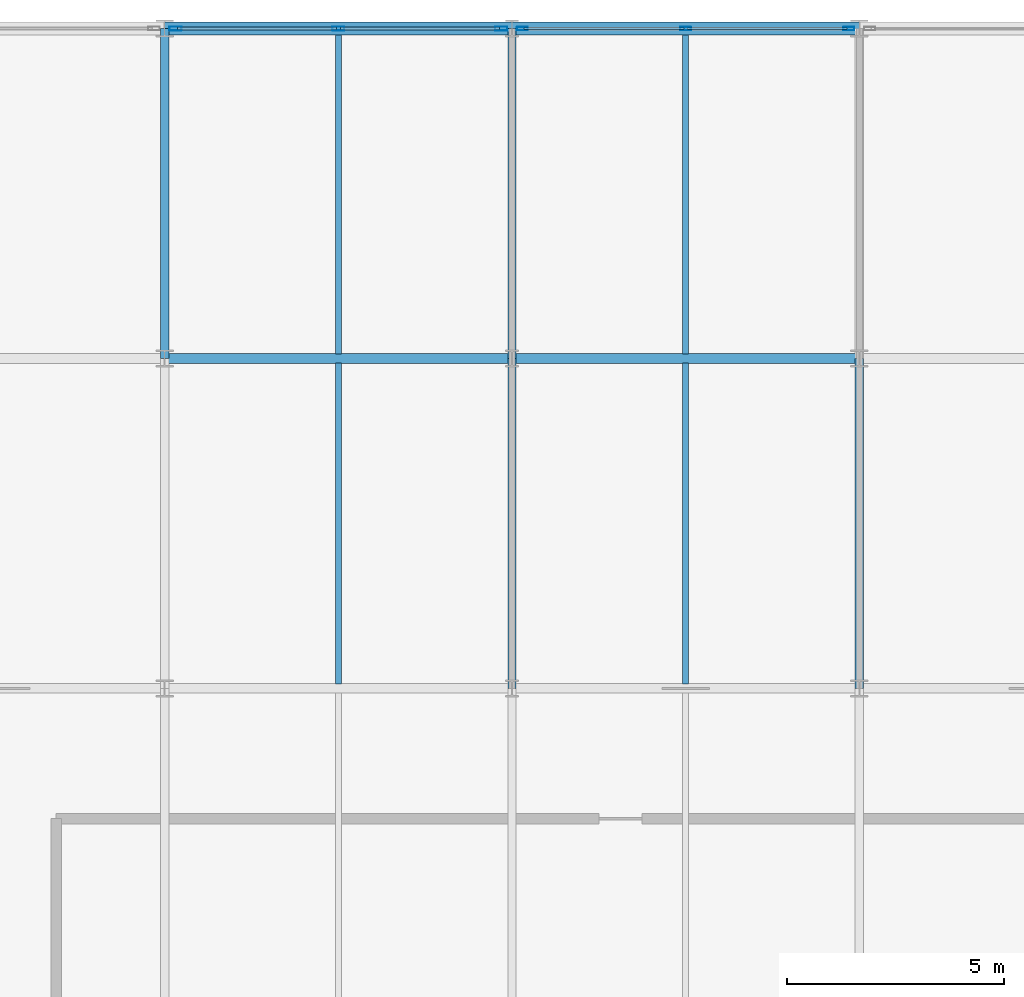
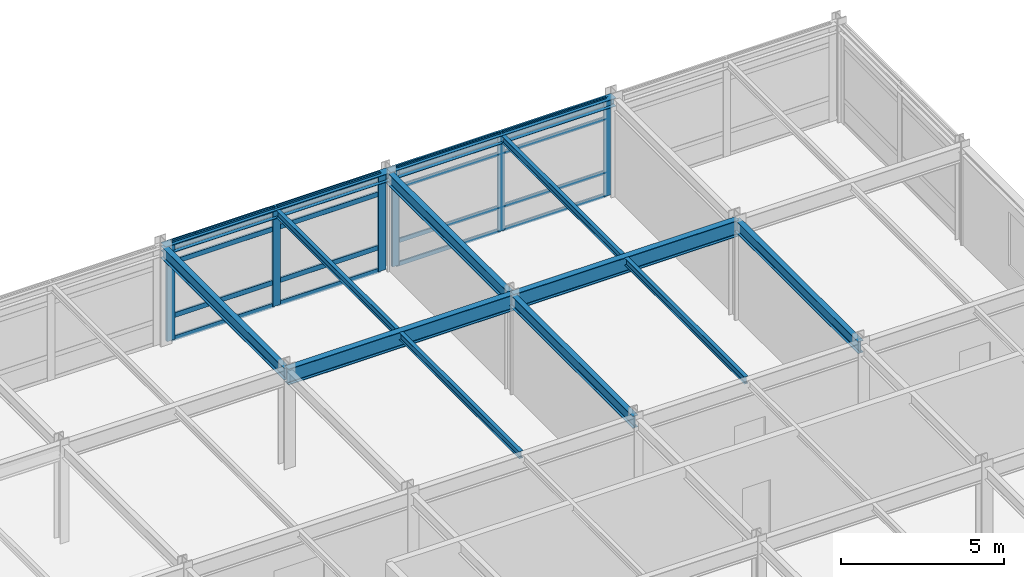
# One storey, part 8 of 14: 22 members, 12 beams, 2 elements without a shape of their own.
"""IFC4 building model written with IfcOpenShell, lengths in metres."""

from ifc_helpers import new_model, si_unit, direction, frame, origin, origin_2d, place, context, subcontext, project, spatial, hollow_rectangle, i_section, extrude, material, layer, layer_set, material_profile, profile_set, type_object, element, aggregate, save


model = new_model("IFC4")

# Units and contexts
model_context = context("Model", 3, precision=1e-05, world=origin(), true_north=direction((0.0, 1.0)))
body_context = subcontext(model_context, "Body", "Model", "MODEL_VIEW")
ifc_project = project(units=[si_unit("LENGTHUNIT", "METRE"), si_unit("AREAUNIT", "SQUARE_METRE"), si_unit("VOLUMEUNIT", "CUBIC_METRE"), si_unit("PLANEANGLEUNIT", "RADIAN"), si_unit("MASSUNIT", "GRAM", prefix="KILO")], contexts=[model_context])

# Site, building, storey
site_placement = place(None, origin())
site = spatial("IfcSite", under=ifc_project, at=site_placement, CompositionType="ELEMENT")
building_placement = place(site_placement, origin())
building = spatial("IfcBuilding", under=site, at=building_placement, Name="Shalkamar Park Central Library", CompositionType="ELEMENT")
storey_placement = place(building_placement, frame((0.0, 0.0, 28.199951171875)))
storey = spatial("IfcBuildingStorey", under=building, at=storey_placement, Name="L07", CompositionType="ELEMENT", Elevation=28.199951171875)

# Beams
ifc_material_1 = material(Name="Steel S355", Category="steel")
ifc_material_profile_1 = material_profile(ifc_material_1, i_section(OverallWidth=0.135009765625, OverallDepth=0.27001953125, WebThickness=0.006591796875, FlangeThickness=0.01025390625, FilletRadius=0.014892578125, at=origin_2d()), Name="IPE 270")
ifc_profile_set_1 = profile_set([ifc_material_profile_1], Name="Steel S355")
beam_type_1 = type_object("IfcBeamType", Name="Composite Floor Joist IPE270", PredefinedType="JOIST", material=ifc_profile_set_1)
beam_1_placement = place(storey_placement, frame((201.0, 278.10791015625, 3.525146484375), z_axis=(0.0, 1.0, 0.0), x_axis=(-1.0, 0.0, 0.0)))
element("IfcBeam", 1, at=beam_1_placement, inside=storey, type_object=beam_type_1, Name="Composite Joist 11/F-1 (L07)", PredefinedType="JOIST", context=body_context, shape_type="SweptSolid", body=[
    extrude(i_section(OverallWidth=0.135009765625, OverallDepth=0.27001953125, WebThickness=0.006591796875, FlangeThickness=0.01025390625, FilletRadius=0.014892578125, at=origin_2d()), origin(), (0.0, 0.0, 1.0), 7.384033203125),
])
beam_2_placement = place(storey_placement, frame((201.0, 285.7080078125, 3.525146484375), z_axis=(0.0, 1.0, 0.0), x_axis=(-1.0, 0.0, 0.0)))
element("IfcBeam", 2, at=beam_2_placement, inside=storey, type_object=beam_type_1, Name="Composite Joist 11/G-1 (L07)", PredefinedType="JOIST", context=body_context, shape_type="SweptSolid", body=[
    extrude(i_section(OverallWidth=0.135009765625, OverallDepth=0.27001953125, WebThickness=0.006591796875, FlangeThickness=0.01025390625, FilletRadius=0.014892578125, at=origin_2d()), origin(), (0.0, 0.0, 1.0), 7.343994140625),
])
beam_3_placement = place(storey_placement, frame((209.0, 278.10791015625, 3.525146484375), z_axis=(0.0, 1.0, 0.0), x_axis=(-1.0, 0.0, 0.0)))
element("IfcBeam", 3, at=beam_3_placement, inside=storey, type_object=beam_type_1, Name="Composite Joist 12/F-1 (L07)", PredefinedType="JOIST", context=body_context, shape_type="SweptSolid", body=[
    extrude(i_section(OverallWidth=0.135009765625, OverallDepth=0.27001953125, WebThickness=0.006591796875, FlangeThickness=0.01025390625, FilletRadius=0.014892578125, at=origin_2d()), origin(), (0.0, 0.0, 1.0), 7.384033203125),
])
beam_4_placement = place(storey_placement, frame((209.0, 285.7080078125, 3.525146484375), z_axis=(0.0, 1.0, 0.0), x_axis=(-1.0, 0.0, 0.0)))
element("IfcBeam", 4, at=beam_4_placement, inside=storey, type_object=beam_type_1, Name="Composite Joist 12/G-1 (L07)", PredefinedType="JOIST", context=body_context, shape_type="SweptSolid", body=[
    extrude(i_section(OverallWidth=0.135009765625, OverallDepth=0.27001953125, WebThickness=0.006591796875, FlangeThickness=0.01025390625, FilletRadius=0.014892578125, at=origin_2d()), origin(), (0.0, 0.0, 1.0), 7.343994140625),
])

# Curtain wall, members
ifc_material_2 = material(Name="Thermally broken aluminium and triple low-e curtain wall", Category="aluminium")
ifc_layer_1 = layer(ifc_material_2, 0.25)
ifc_layer_set_1 = layer_set([ifc_layer_1], Name="UnitisedCurtainWall_68")
curtain_wall_type_1 = type_object("IfcCurtainWallType", Name="Unitised Curtain Wall 68", PredefinedType="USERDEFINED", material=ifc_layer_set_1)
curtain_wall_1_placement = place(storey_placement, origin())
curtain_wall_1 = element("IfcCurtainWall", 5, at=curtain_wall_1_placement, inside=storey, type_object=curtain_wall_type_1, Name="Unitised Curtain Wall CW-L07-101", ObjectType="UNITISED CURTAIN WALL", PredefinedType="USERDEFINED")
ifc_material_3 = material(Name="Aluminium 6060-T66", Category="aluminium")
ifc_material_profile_2 = material_profile(ifc_material_3, hollow_rectangle(XDim=0.074951171875, YDim=0.25, WallThickness=0.00390625, InnerFilletRadius=0.00390625, OuterFilletRadius=0.006103515625, at=origin_2d()), Name="ALU 75x250x4")
ifc_profile_set_2 = profile_set([ifc_material_profile_2], Name="Aluminium 6060-T66")
member_type_1 = type_object("IfcMemberType", Name="Curtain Wall Mullion ALU75x250", PredefinedType="MULLION", material=ifc_profile_set_2)
member_1_placement = place(storey_placement, frame((205.239013671875, 293.199951171875, 0.0), z_axis=(0.0, 0.0, 1.0), x_axis=(0.0, 1.0, 0.0)))
member_1 = element("IfcMember", 6, at=member_1_placement, type_object=member_type_1, Name="CW-68 mullion 1", PredefinedType="MULLION", context=body_context, shape_type="SweptSolid", body=[
    extrude(hollow_rectangle(XDim=0.074951171875, YDim=0.25, WallThickness=0.00390625, InnerFilletRadius=0.00390625, OuterFilletRadius=0.006103515625, at=origin_2d()), origin(), (0.0, 0.0, 1.0), 3.66015625),
])
member_2_placement = place(storey_placement, frame((208.999267578125, 293.199951171875, 0.0), z_axis=(0.0, 0.0, 1.0), x_axis=(0.0, 1.0, 0.0)))
member_2 = element("IfcMember", 7, at=member_2_placement, type_object=member_type_1, Name="CW-68 mullion 2", PredefinedType="MULLION", context=body_context, shape_type="SweptSolid", body=[
    extrude(hollow_rectangle(XDim=0.074951171875, YDim=0.25, WallThickness=0.00390625, InnerFilletRadius=0.00390625, OuterFilletRadius=0.006103515625, at=origin_2d()), origin(), (0.0, 0.0, 1.0), 3.66015625),
])
member_3_placement = place(storey_placement, frame((212.759521484375, 293.199951171875, 0.0), z_axis=(0.0, 0.0, 1.0), x_axis=(0.0, 1.0, 0.0)))
member_3 = element("IfcMember", 8, at=member_3_placement, type_object=member_type_1, Name="CW-68 mullion 3", PredefinedType="MULLION", context=body_context, shape_type="SweptSolid", body=[
    extrude(hollow_rectangle(XDim=0.074951171875, YDim=0.25, WallThickness=0.00390625, InnerFilletRadius=0.00390625, OuterFilletRadius=0.006103515625, at=origin_2d()), origin(), (0.0, 0.0, 1.0), 3.66015625),
])

ifc_layer_2 = layer(ifc_material_2, 0.280029296875)
ifc_layer_set_2 = layer_set([ifc_layer_2], Name="UnitisedCurtainWall_67")
curtain_wall_type_2 = type_object("IfcCurtainWallType", Name="Unitised Curtain Wall 67", PredefinedType="USERDEFINED", material=ifc_layer_set_2)
curtain_wall_2_placement = place(storey_placement, origin())
curtain_wall_2 = element("IfcCurtainWall", 9, at=curtain_wall_2_placement, inside=storey, type_object=curtain_wall_type_2, Name="Unitised Curtain Wall CW-L07-100", ObjectType="UNITISED CURTAIN WALL", PredefinedType="USERDEFINED")
ifc_material_profile_3 = material_profile(ifc_material_3, hollow_rectangle(XDim=0.090087890625, YDim=0.280029296875, WallThickness=0.0048828125, InnerFilletRadius=0.0048828125, OuterFilletRadius=0.007568359375, at=origin_2d()), Name="ALU 90x280x5")
ifc_profile_set_3 = profile_set([ifc_material_profile_3], Name="Aluminium 6060-T66")
member_type_2 = type_object("IfcMemberType", Name="Curtain Wall Mullion ALU90x280", PredefinedType="MULLION", material=ifc_profile_set_3)
member_4_placement = place(storey_placement, frame((197.248046875, 293.199951171875, 0.0), z_axis=(0.0, 0.0, 1.0), x_axis=(0.0, 1.0, 0.0)))
member_4 = element("IfcMember", 10, at=member_4_placement, type_object=member_type_2, Name="CW-67 mullion 1", PredefinedType="MULLION", context=body_context, shape_type="SweptSolid", body=[
    extrude(hollow_rectangle(XDim=0.090087890625, YDim=0.280029296875, WallThickness=0.0048828125, InnerFilletRadius=0.0048828125, OuterFilletRadius=0.007568359375, at=origin_2d()), origin(), (0.0, 0.0, 1.0), 3.66015625),
])
member_5_placement = place(storey_placement, frame((201.000732421875, 293.199951171875, 0.0), z_axis=(0.0, 0.0, 1.0), x_axis=(0.0, 1.0, 0.0)))
member_5 = element("IfcMember", 11, at=member_5_placement, type_object=member_type_2, Name="CW-67 mullion 2", PredefinedType="MULLION", context=body_context, shape_type="SweptSolid", body=[
    extrude(hollow_rectangle(XDim=0.090087890625, YDim=0.280029296875, WallThickness=0.0048828125, InnerFilletRadius=0.0048828125, OuterFilletRadius=0.007568359375, at=origin_2d()), origin(), (0.0, 0.0, 1.0), 3.66015625),
])
member_6_placement = place(storey_placement, frame((204.75341796875, 293.199951171875, 0.0), z_axis=(0.0, 0.0, 1.0), x_axis=(0.0, 1.0, 0.0)))
member_6 = element("IfcMember", 12, at=member_6_placement, type_object=member_type_2, Name="CW-67 mullion 3", PredefinedType="MULLION", context=body_context, shape_type="SweptSolid", body=[
    extrude(hollow_rectangle(XDim=0.090087890625, YDim=0.280029296875, WallThickness=0.0048828125, InnerFilletRadius=0.0048828125, OuterFilletRadius=0.007568359375, at=origin_2d()), origin(), (0.0, 0.0, 1.0), 3.66015625),
])

# Member
ifc_material_profile_4 = material_profile(ifc_material_3, hollow_rectangle(XDim=0.06005859375, YDim=0.159912109375, WallThickness=0.00390625, InnerFilletRadius=0.00390625, OuterFilletRadius=0.006103515625, at=origin_2d()), Name="ALU 60x160x4")
ifc_profile_set_4 = profile_set([ifc_material_profile_4], Name="Aluminium 6060-T66")
member_type_3 = type_object("IfcMemberType", Name="Curtain Wall Transom ALU60x160", PredefinedType="USERDEFINED", material=ifc_profile_set_4)
member_7_placement = place(storey_placement, frame((205.276611328125, 293.199951171875, 0.030029296875), z_axis=(1.0, 0.0, 0.0), x_axis=(0.0, 1.0, 0.0)))
member_7 = element("IfcMember", 13, at=member_7_placement, type_object=member_type_3, Name="CW-68 transom 1.1", ObjectType="TRANSOM", PredefinedType="USERDEFINED", context=body_context, shape_type="SweptSolid", body=[
    extrude(hollow_rectangle(XDim=0.06005859375, YDim=0.159912109375, WallThickness=0.00390625, InnerFilletRadius=0.00390625, OuterFilletRadius=0.006103515625, at=origin_2d()), origin(), (0.0, 0.0, 1.0), 3.68505859375),
])

member_8_placement = place(storey_placement, frame((205.276611328125, 293.199951171875, 0.900146484375), z_axis=(1.0, 0.0, 0.0), x_axis=(0.0, 1.0, 0.0)))
member_8 = element("IfcMember", 14, at=member_8_placement, type_object=member_type_3, Name="CW-68 transom 1.2", ObjectType="TRANSOM", PredefinedType="USERDEFINED", context=body_context, shape_type="SweptSolid", body=[
    extrude(hollow_rectangle(XDim=0.06005859375, YDim=0.159912109375, WallThickness=0.00390625, InnerFilletRadius=0.00390625, OuterFilletRadius=0.006103515625, at=origin_2d()), origin(), (0.0, 0.0, 1.0), 3.68505859375),
])

member_9_placement = place(storey_placement, frame((205.276611328125, 293.199951171875, 2.91015625), z_axis=(1.0, 0.0, 0.0), x_axis=(0.0, 1.0, 0.0)))
member_9 = element("IfcMember", 15, at=member_9_placement, type_object=member_type_3, Name="CW-68 transom 1.3", ObjectType="TRANSOM", PredefinedType="USERDEFINED", context=body_context, shape_type="SweptSolid", body=[
    extrude(hollow_rectangle(XDim=0.06005859375, YDim=0.159912109375, WallThickness=0.00390625, InnerFilletRadius=0.00390625, OuterFilletRadius=0.006103515625, at=origin_2d()), origin(), (0.0, 0.0, 1.0), 3.68505859375),
])

member_10_placement = place(storey_placement, frame((205.276611328125, 293.199951171875, 3.630126953125), z_axis=(1.0, 0.0, 0.0), x_axis=(0.0, 1.0, 0.0)))
member_10 = element("IfcMember", 16, at=member_10_placement, type_object=member_type_3, Name="CW-68 transom 1.4", ObjectType="TRANSOM", PredefinedType="USERDEFINED", context=body_context, shape_type="SweptSolid", body=[
    extrude(hollow_rectangle(XDim=0.06005859375, YDim=0.159912109375, WallThickness=0.00390625, InnerFilletRadius=0.00390625, OuterFilletRadius=0.006103515625, at=origin_2d()), origin(), (0.0, 0.0, 1.0), 3.68505859375),
])

member_11_placement = place(storey_placement, frame((209.036865234375, 293.199951171875, 0.030029296875), z_axis=(1.0, 0.0, 0.0), x_axis=(0.0, 1.0, 0.0)))
member_11 = element("IfcMember", 17, at=member_11_placement, type_object=member_type_3, Name="CW-68 transom 2.1", ObjectType="TRANSOM", PredefinedType="USERDEFINED", context=body_context, shape_type="SweptSolid", body=[
    extrude(hollow_rectangle(XDim=0.06005859375, YDim=0.159912109375, WallThickness=0.00390625, InnerFilletRadius=0.00390625, OuterFilletRadius=0.006103515625, at=origin_2d()), origin(), (0.0, 0.0, 1.0), 3.68505859375),
])

member_12_placement = place(storey_placement, frame((209.036865234375, 293.199951171875, 0.900146484375), z_axis=(1.0, 0.0, 0.0), x_axis=(0.0, 1.0, 0.0)))
member_12 = element("IfcMember", 18, at=member_12_placement, type_object=member_type_3, Name="CW-68 transom 2.2", ObjectType="TRANSOM", PredefinedType="USERDEFINED", context=body_context, shape_type="SweptSolid", body=[
    extrude(hollow_rectangle(XDim=0.06005859375, YDim=0.159912109375, WallThickness=0.00390625, InnerFilletRadius=0.00390625, OuterFilletRadius=0.006103515625, at=origin_2d()), origin(), (0.0, 0.0, 1.0), 3.68505859375),
])

member_13_placement = place(storey_placement, frame((209.036865234375, 293.199951171875, 2.91015625), z_axis=(1.0, 0.0, 0.0), x_axis=(0.0, 1.0, 0.0)))
member_13 = element("IfcMember", 19, at=member_13_placement, type_object=member_type_3, Name="CW-68 transom 2.3", ObjectType="TRANSOM", PredefinedType="USERDEFINED", context=body_context, shape_type="SweptSolid", body=[
    extrude(hollow_rectangle(XDim=0.06005859375, YDim=0.159912109375, WallThickness=0.00390625, InnerFilletRadius=0.00390625, OuterFilletRadius=0.006103515625, at=origin_2d()), origin(), (0.0, 0.0, 1.0), 3.68505859375),
])

member_14_placement = place(storey_placement, frame((209.036865234375, 293.199951171875, 3.630126953125), z_axis=(1.0, 0.0, 0.0), x_axis=(0.0, 1.0, 0.0)))
member_14 = element("IfcMember", 20, at=member_14_placement, type_object=member_type_3, Name="CW-68 transom 2.4", ObjectType="TRANSOM", PredefinedType="USERDEFINED", context=body_context, shape_type="SweptSolid", body=[
    extrude(hollow_rectangle(XDim=0.06005859375, YDim=0.159912109375, WallThickness=0.00390625, InnerFilletRadius=0.00390625, OuterFilletRadius=0.006103515625, at=origin_2d()), origin(), (0.0, 0.0, 1.0), 3.68505859375),
])

aggregate(curtain_wall_1, [member_1, member_2, member_3, member_7, member_8, member_9, member_10, member_11, member_12, member_13, member_14])

ifc_material_profile_5 = material_profile(ifc_material_3, hollow_rectangle(XDim=0.070068359375, YDim=0.18994140625, WallThickness=0.0048828125, InnerFilletRadius=0.0048828125, OuterFilletRadius=0.007568359375, at=origin_2d()), Name="ALU 70x190x5")
ifc_profile_set_5 = profile_set([ifc_material_profile_5], Name="Aluminium 6060-T66")
member_type_4 = type_object("IfcMemberType", Name="Curtain Wall Transom ALU70x190", PredefinedType="USERDEFINED", material=ifc_profile_set_5)
member_15_placement = place(storey_placement, frame((197.29296875, 293.199951171875, 0.03515625), z_axis=(1.0, 0.0, 0.0), x_axis=(0.0, 1.0, 0.0)))
member_15 = element("IfcMember", 21, at=member_15_placement, type_object=member_type_4, Name="CW-67 transom 1.1", ObjectType="TRANSOM", PredefinedType="USERDEFINED", context=body_context, shape_type="SweptSolid", body=[
    extrude(hollow_rectangle(XDim=0.070068359375, YDim=0.18994140625, WallThickness=0.0048828125, InnerFilletRadius=0.0048828125, OuterFilletRadius=0.007568359375, at=origin_2d()), origin(), (0.0, 0.0, 1.0), 3.662841796875),
])

member_16_placement = place(storey_placement, frame((197.29296875, 293.199951171875, 0.900146484375), z_axis=(1.0, 0.0, 0.0), x_axis=(0.0, 1.0, 0.0)))
member_16 = element("IfcMember", 22, at=member_16_placement, type_object=member_type_4, Name="CW-67 transom 1.2", ObjectType="TRANSOM", PredefinedType="USERDEFINED", context=body_context, shape_type="SweptSolid", body=[
    extrude(hollow_rectangle(XDim=0.070068359375, YDim=0.18994140625, WallThickness=0.0048828125, InnerFilletRadius=0.0048828125, OuterFilletRadius=0.007568359375, at=origin_2d()), origin(), (0.0, 0.0, 1.0), 3.662841796875),
])

member_17_placement = place(storey_placement, frame((197.29296875, 293.199951171875, 2.91015625), z_axis=(1.0, 0.0, 0.0), x_axis=(0.0, 1.0, 0.0)))
member_17 = element("IfcMember", 23, at=member_17_placement, type_object=member_type_4, Name="CW-67 transom 1.3", ObjectType="TRANSOM", PredefinedType="USERDEFINED", context=body_context, shape_type="SweptSolid", body=[
    extrude(hollow_rectangle(XDim=0.070068359375, YDim=0.18994140625, WallThickness=0.0048828125, InnerFilletRadius=0.0048828125, OuterFilletRadius=0.007568359375, at=origin_2d()), origin(), (0.0, 0.0, 1.0), 3.662841796875),
])

member_18_placement = place(storey_placement, frame((197.29296875, 293.199951171875, 3.625), z_axis=(1.0, 0.0, 0.0), x_axis=(0.0, 1.0, 0.0)))
member_18 = element("IfcMember", 24, at=member_18_placement, type_object=member_type_4, Name="CW-67 transom 1.4", ObjectType="TRANSOM", PredefinedType="USERDEFINED", context=body_context, shape_type="SweptSolid", body=[
    extrude(hollow_rectangle(XDim=0.070068359375, YDim=0.18994140625, WallThickness=0.0048828125, InnerFilletRadius=0.0048828125, OuterFilletRadius=0.007568359375, at=origin_2d()), origin(), (0.0, 0.0, 1.0), 3.662841796875),
])

member_19_placement = place(storey_placement, frame((201.045654296875, 293.199951171875, 0.03515625), z_axis=(1.0, 0.0, 0.0), x_axis=(0.0, 1.0, 0.0)))
member_19 = element("IfcMember", 25, at=member_19_placement, type_object=member_type_4, Name="CW-67 transom 2.1", ObjectType="TRANSOM", PredefinedType="USERDEFINED", context=body_context, shape_type="SweptSolid", body=[
    extrude(hollow_rectangle(XDim=0.070068359375, YDim=0.18994140625, WallThickness=0.0048828125, InnerFilletRadius=0.0048828125, OuterFilletRadius=0.007568359375, at=origin_2d()), origin(), (0.0, 0.0, 1.0), 3.662841796875),
])

member_20_placement = place(storey_placement, frame((201.045654296875, 293.199951171875, 0.900146484375), z_axis=(1.0, 0.0, 0.0), x_axis=(0.0, 1.0, 0.0)))
member_20 = element("IfcMember", 26, at=member_20_placement, type_object=member_type_4, Name="CW-67 transom 2.2", ObjectType="TRANSOM", PredefinedType="USERDEFINED", context=body_context, shape_type="SweptSolid", body=[
    extrude(hollow_rectangle(XDim=0.070068359375, YDim=0.18994140625, WallThickness=0.0048828125, InnerFilletRadius=0.0048828125, OuterFilletRadius=0.007568359375, at=origin_2d()), origin(), (0.0, 0.0, 1.0), 3.662841796875),
])

member_21_placement = place(storey_placement, frame((201.045654296875, 293.199951171875, 2.91015625), z_axis=(1.0, 0.0, 0.0), x_axis=(0.0, 1.0, 0.0)))
member_21 = element("IfcMember", 27, at=member_21_placement, type_object=member_type_4, Name="CW-67 transom 2.3", ObjectType="TRANSOM", PredefinedType="USERDEFINED", context=body_context, shape_type="SweptSolid", body=[
    extrude(hollow_rectangle(XDim=0.070068359375, YDim=0.18994140625, WallThickness=0.0048828125, InnerFilletRadius=0.0048828125, OuterFilletRadius=0.007568359375, at=origin_2d()), origin(), (0.0, 0.0, 1.0), 3.662841796875),
])

member_22_placement = place(storey_placement, frame((201.045654296875, 293.199951171875, 3.625), z_axis=(1.0, 0.0, 0.0), x_axis=(0.0, 1.0, 0.0)))
member_22 = element("IfcMember", 28, at=member_22_placement, type_object=member_type_4, Name="CW-67 transom 2.4", ObjectType="TRANSOM", PredefinedType="USERDEFINED", context=body_context, shape_type="SweptSolid", body=[
    extrude(hollow_rectangle(XDim=0.070068359375, YDim=0.18994140625, WallThickness=0.0048828125, InnerFilletRadius=0.0048828125, OuterFilletRadius=0.007568359375, at=origin_2d()), origin(), (0.0, 0.0, 1.0), 3.662841796875),
])

aggregate(curtain_wall_2, [member_4, member_5, member_6, member_15, member_16, member_17, member_18, member_19, member_20, member_21, member_22])

# Beams
ifc_material_profile_6 = material_profile(ifc_material_1, i_section(OverallWidth=0.300048828125, OverallDepth=0.31005859375, WebThickness=0.009033203125, FlangeThickness=0.015380859375, FilletRadius=0.027099609375, at=origin_2d()), Name="HEA 320")
ifc_profile_set_6 = profile_set([ifc_material_profile_6], Name="Steel S355")
beam_type_2 = type_object("IfcBeamType", Name="Perimeter Spandrel Beam HEA320", PredefinedType="SPANDREL", material=ifc_profile_set_6)
for number, where, z_axis, x_axis, name in (
    (29, (197.0, 293.199951171875, 3.505126953125), (1.0, 0.0, 0.0), (0.0, 1.0, 0.0), "Beam H:11-12 (L07)"),
    (30, (205.0, 293.199951171875, 3.505126953125), (1.0, 0.0, 0.0), (0.0, 1.0, 0.0), "Beam H:12-13 (L07)"),
):
    element("IfcBeam", number, at=place(storey_placement, frame(where, z_axis=z_axis, x_axis=x_axis)), inside=storey, type_object=beam_type_2, Name=name, PredefinedType="SPANDREL", context=body_context, shape_type="SweptSolid", body=[
        extrude(i_section(OverallWidth=0.300048828125, OverallDepth=0.31005859375, WebThickness=0.009033203125, FlangeThickness=0.015380859375, FilletRadius=0.027099609375, at=origin_2d()), origin(), (0.0, 0.0, 1.0), 8.0),
    ])
ifc_material_profile_7 = material_profile(ifc_material_1, i_section(OverallWidth=0.18994140625, OverallDepth=0.449951171875, WebThickness=0.009521484375, FlangeThickness=0.0146484375, FilletRadius=0.02099609375, at=origin_2d()), Name="IPE 450")
ifc_profile_set_7 = profile_set([ifc_material_profile_7], Name="Steel S355")
beam_type_3 = type_object("IfcBeamType", Name="Primary Girder IPE450", PredefinedType="BEAM", material=ifc_profile_set_7)
beam_5_placement = place(storey_placement, frame((197.0, 285.60009765625, 3.43505859375), z_axis=(0.0, 1.0, 0.0), x_axis=(-1.0, 0.0, 0.0)))
element("IfcBeam", 31, at=beam_5_placement, inside=storey, type_object=beam_type_3, Name="Beam 11:G-H (L07)", PredefinedType="BEAM", context=body_context, shape_type="SweptSolid", body=[
    extrude(i_section(OverallWidth=0.18994140625, OverallDepth=0.449951171875, WebThickness=0.009521484375, FlangeThickness=0.0146484375, FilletRadius=0.02099609375, at=origin_2d()), origin(), (0.0, 0.0, 1.0), 7.599853515625),
])
beam_6_placement = place(storey_placement, frame((205.0, 278.0, 3.43505859375), z_axis=(0.0, 1.0, 0.0), x_axis=(-1.0, 0.0, 0.0)))
element("IfcBeam", 32, at=beam_6_placement, inside=storey, type_object=beam_type_3, Name="Beam 12:F-G (L07)", PredefinedType="BEAM", context=body_context, shape_type="SweptSolid", body=[
    extrude(i_section(OverallWidth=0.18994140625, OverallDepth=0.449951171875, WebThickness=0.009521484375, FlangeThickness=0.0146484375, FilletRadius=0.02099609375, at=origin_2d()), origin(), (0.0, 0.0, 1.0), 7.60009765625),
])
beam_7_placement = place(storey_placement, frame((205.0, 285.60009765625, 3.43505859375), z_axis=(0.0, 1.0, 0.0), x_axis=(-1.0, 0.0, 0.0)))
element("IfcBeam", 33, at=beam_7_placement, inside=storey, type_object=beam_type_3, Name="Beam 12:G-H (L07)", PredefinedType="BEAM", context=body_context, shape_type="SweptSolid", body=[
    extrude(i_section(OverallWidth=0.18994140625, OverallDepth=0.449951171875, WebThickness=0.009521484375, FlangeThickness=0.0146484375, FilletRadius=0.02099609375, at=origin_2d()), origin(), (0.0, 0.0, 1.0), 7.599853515625),
])
beam_8_placement = place(storey_placement, frame((213.0, 278.0, 3.43505859375), z_axis=(0.0, 1.0, 0.0), x_axis=(-1.0, 0.0, 0.0)))
element("IfcBeam", 34, at=beam_8_placement, inside=storey, type_object=beam_type_3, Name="Beam 13:F-G (L07)", PredefinedType="BEAM", context=body_context, shape_type="SweptSolid", body=[
    extrude(i_section(OverallWidth=0.18994140625, OverallDepth=0.449951171875, WebThickness=0.009521484375, FlangeThickness=0.0146484375, FilletRadius=0.02099609375, at=origin_2d()), origin(), (0.0, 0.0, 1.0), 7.60009765625),
])
ifc_material_profile_8 = material_profile(ifc_material_1, i_section(OverallWidth=0.219970703125, OverallDepth=0.60009765625, WebThickness=0.011962890625, FlangeThickness=0.01904296875, FilletRadius=0.02392578125, at=origin_2d()), Name="IPE 600")
ifc_profile_set_8 = profile_set([ifc_material_profile_8], Name="Steel S355")
beam_type_4 = type_object("IfcBeamType", Name="Primary Girder IPE600", PredefinedType="BEAM", material=ifc_profile_set_8)
for number, where, z_axis, x_axis, name in (
    (35, (197.0, 285.60009765625, 3.360107421875), (1.0, 0.0, 0.0), (0.0, 1.0, 0.0), "Beam G:11-12 (L07)"),
    (36, (205.0, 285.60009765625, 3.360107421875), (1.0, 0.0, 0.0), (0.0, 1.0, 0.0), "Beam G:12-13 (L07)"),
):
    element("IfcBeam", number, at=place(storey_placement, frame(where, z_axis=z_axis, x_axis=x_axis)), inside=storey, type_object=beam_type_4, Name=name, PredefinedType="BEAM", context=body_context, shape_type="SweptSolid", body=[
        extrude(i_section(OverallWidth=0.219970703125, OverallDepth=0.60009765625, WebThickness=0.011962890625, FlangeThickness=0.01904296875, FilletRadius=0.02392578125, at=origin_2d()), origin(), (0.0, 0.0, 1.0), 8.0),
    ])

save(model, "model.ifc")
